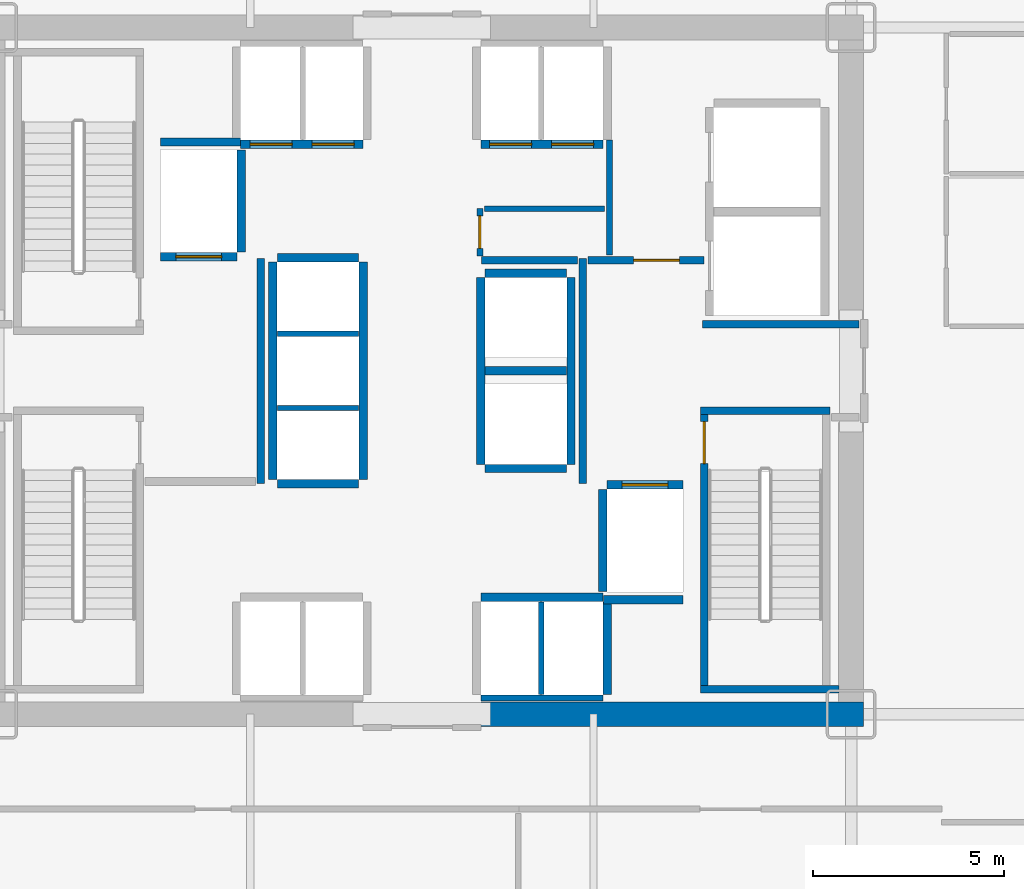
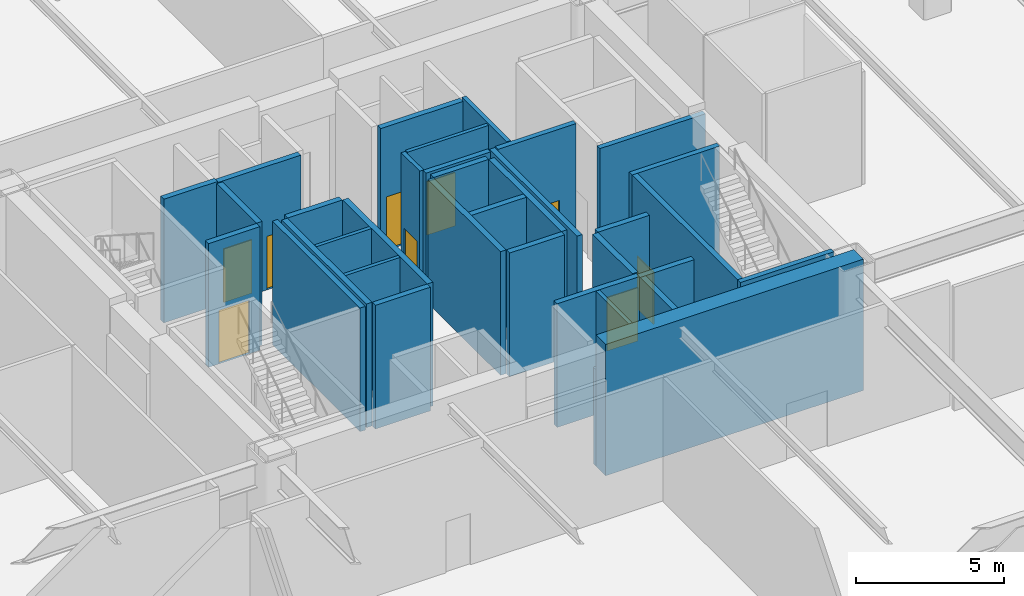
# One storey, part 18 of 24: 35 walls, 9 doors, 9 openings.
"""IFC4 building model written with IfcOpenShell, lengths in metres."""

from ifc_helpers import new_model, si_unit, direction, frame, frame_2d, origin, place, context, subcontext, project, spatial, rectangle, extrude, source, transform, mapped, material, layer, layer_set, type_object, element, fill, save


model = new_model("IFC4")

# Units and contexts
model_context = context("Model", 3, precision=1e-05, world=origin(), true_north=direction((0.0, 1.0)))
body_context = subcontext(model_context, "Body", "Model", "MODEL_VIEW")
ifc_project = project(units=[si_unit("LENGTHUNIT", "METRE"), si_unit("AREAUNIT", "SQUARE_METRE"), si_unit("VOLUMEUNIT", "CUBIC_METRE"), si_unit("PLANEANGLEUNIT", "RADIAN"), si_unit("MASSUNIT", "GRAM", prefix="KILO")], contexts=[model_context])

# Site, building, storey
site_placement = place(None, origin())
site = spatial("IfcSite", under=ifc_project, at=site_placement, CompositionType="ELEMENT")
building_placement = place(site_placement, origin())
building = spatial("IfcBuilding", under=site, at=building_placement, Name="Nefas-Gora Pilgrimage Tower", CompositionType="ELEMENT")
storey_placement = place(building_placement, frame((0.0, 0.0, 16.800048828125)))
storey = spatial("IfcBuildingStorey", under=building, at=storey_placement, Name="L03", CompositionType="ELEMENT", Elevation=16.800048828125)

# Walls
ifc_material_1 = material(Name="Concrete C60/75", Category="concrete")
ifc_layer_1 = layer(ifc_material_1, 0.64990234375)
ifc_layer_set_1 = layer_set([ifc_layer_1], Name="Concrete C60/75")
wall_type_1 = type_object("IfcWallType", Name="SW-CORE-650", PredefinedType="SHEAR", material=ifc_layer_set_1)
shared_shape_1 = source(origin(), body_context, "Body", "SweptSolid", [
    extrude(rectangle(XDim=10.02490234375, YDim=0.64990234375, at=frame_2d((5.012451171875, 0.0))), origin(), (0.0, 0.0, 1.0), 5.39990234375),
])
wall_1_placement = place(storey_placement, frame((1.550048828125, -9.0, 0.0), z_axis=(0.0, 0.0, 1.0), x_axis=(1.0, 0.0, 0.0)))
element("IfcWall", 1, at=wall_1_placement, inside=storey, type_object=wall_type_1, Name="L03 Core Shear Wall S-East", PredefinedType="SHEAR", context=body_context, shape_type="MappedRepresentation", body=[
    mapped(shared_shape_1, transform((0.0, 0.0, 0.0), x_axis=(1.0, 0.0, 0.0), y_axis=(0.0, 1.0, 0.0), z_axis=(0.0, 0.0, 1.0), scale=1.0)),
])
ifc_material_2 = material(Name="Concrete C45/55", Category="concrete")
ifc_layer_2 = layer(ifc_material_2, 0.199951171875)
ifc_layer_set_2 = layer_set([ifc_layer_2], Name="Concrete C45/55")
wall_type_2 = type_object("IfcWallType", Name="IW-STAIR-200", PredefinedType="SOLIDWALL", material=ifc_layer_set_2)
shared_shape_2 = source(origin(), body_context, "Body", "SweptSolid", [
    extrude(rectangle(XDim=3.39990234375, YDim=0.199951171875, at=frame_2d((1.699951171875, 0.0))), origin(), (0.0, 0.0, 1.0), 5.39990234375),
])
wall_2_placement = place(storey_placement, frame((7.300048828125, -1.050048828125, 0.0), z_axis=(0.0, 0.0, 1.0), x_axis=(1.0, 0.0, 0.0)))
element("IfcWall", 2, at=wall_2_placement, inside=storey, type_object=wall_type_2, Name="L03 Stairwell Shear Wall ST-02-near", PredefinedType="SOLIDWALL", context=body_context, shape_type="MappedRepresentation", body=[
    mapped(shared_shape_2, transform((0.0, 0.0, 0.0), x_axis=(1.0, 0.0, 0.0), y_axis=(0.0, 1.0, 0.0), z_axis=(0.0, 0.0, 1.0), scale=1.0)),
])
shared_shape_3 = source(origin(), body_context, "Body", "SweptSolid", [
    extrude(rectangle(XDim=3.6298828125, YDim=0.199951171875, at=frame_2d((1.81494140625, 0.0))), origin(), (0.0, 0.0, 1.0), 5.39990234375),
])
wall_3_placement = place(storey_placement, frame((7.300048828125, -8.35009765625, 0.0), z_axis=(0.0, 0.0, 1.0), x_axis=(1.0, 0.0, 0.0)))
element("IfcWall", 3, at=wall_3_placement, inside=storey, type_object=wall_type_2, Name="L03 Stairwell Shear Wall ST-02-far", PredefinedType="SOLIDWALL", context=body_context, shape_type="MappedRepresentation", body=[
    mapped(shared_shape_3, transform((0.0, 0.0, 0.0), x_axis=(1.0, 0.0, 0.0), y_axis=(0.0, 1.0, 0.0), z_axis=(0.0, 0.0, 1.0), scale=1.0)),
])

# Wall, opening, door
shared_shape_4 = source(origin(), body_context, "Body", "SweptSolid", [
    extrude(rectangle(XDim=7.10009765625, YDim=0.199951171875, at=frame_2d((3.550048828125, 0.0))), origin(), (0.0, 0.0, 1.0), 5.39990234375),
])
wall_4_placement = place(storey_placement, frame((7.39990234375, -1.14990234375, 0.0), z_axis=(0.0, 0.0, 1.0), x_axis=(0.0, -1.0, 0.0)))
wall_4 = element("IfcWall", 4, at=wall_4_placement, inside=storey, type_object=wall_type_2, Name="L03 Stairwell Shear Wall ST-02-left", PredefinedType="SOLIDWALL", context=body_context, shape_type="MappedRepresentation", body=[
    mapped(shared_shape_4, transform((0.0, 0.0, 0.0), x_axis=(1.0, 0.0, 0.0), y_axis=(0.0, 1.0, 0.0), z_axis=(0.0, 0.0, 1.0), scale=1.0)),
])
opening_1_placement = place(wall_4_placement, frame((0.179931640625, 0.0, 0.0)))
opening_1 = element("IfcOpeningElement", 5, at=opening_1_placement, cuts=wall_4, Name="Opening ID-ST1", PredefinedType="OPENING", context=body_context, shape_type="SweptSolid", body=[
    extrude(rectangle(XDim=1.10009765625, YDim=2.14990234375, at=frame_2d((0.550048828125, 1.074951171875))), frame((0.0, 0.10986328125, 0.0), z_axis=(0.0, -1.0, 0.0), x_axis=(1.0, 0.0, 0.0)), (0.0, 0.0, 1.0), 0.219970703125),
])
ifc_material_3 = material(Name="Painted galvanised steel fire stair door", Category="steel")
door_type_1 = type_object("IfcDoorType", Name="DR-INT-STAIR-1100", OperationType="NOTDEFINED", PredefinedType="DOOR", material=ifc_material_3)
shared_shape_5 = source(origin(), body_context, "Body", "SweptSolid", [
    extrude(rectangle(XDim=1.10009765625, YDim=2.14990234375, at=frame_2d((0.550048828125, 1.074951171875))), frame((0.0, 0.02490234375, 0.0), z_axis=(0.0, -1.0, 0.0), x_axis=(1.0, 0.0, 0.0)), (0.0, 0.0, 1.0), 0.050048828125),
])
door_1_placement = place(opening_1_placement, origin())
door_1 = element("IfcDoor", 6, at=door_1_placement, inside=storey, type_object=door_type_1, Name="L03 Protected Exit Stair Door ST-02", OperationType="SINGLE_SWING_RIGHT", OverallHeight=2.14990234375, OverallWidth=1.10009765625, PredefinedType="DOOR", context=body_context, shape_type="MappedRepresentation", body=[
    mapped(shared_shape_5, transform((0.0, 0.0, 0.0), x_axis=(1.0, 0.0, 0.0), y_axis=(0.0, 1.0, 0.0), z_axis=(0.0, 0.0, 1.0), scale=1.0)),
])
fill(opening_1, door_1)

ifc_material_4 = material(Name="Concrete C40/50", Category="concrete")
ifc_layer_3 = layer(ifc_material_4, 0.219970703125)
ifc_layer_set_3 = layer_set([ifc_layer_3], Name="Concrete C40/50")
wall_type_3 = type_object("IfcWallType", Name="IW-SHAFT-220", PredefinedType="SOLIDWALL", material=ifc_layer_set_3)
shared_shape_6 = source(origin(), body_context, "Body", "SweptSolid", [
    extrude(rectangle(XDim=2.0, YDim=0.219970703125, at=frame_2d((1.0, 0.0))), origin(), (0.0, 0.0, 1.0), 5.0849609375),
])
wall_5_placement = place(storey_placement, frame((-6.85009765625, 2.989990234375, 0.0), z_axis=(0.0, 0.0, 1.0), x_axis=(1.0, 0.0, 0.0)))
wall_5 = element("IfcWall", 7, at=wall_5_placement, inside=storey, type_object=wall_type_3, Name="L03 Hoistway Wall FFL-01-S", PredefinedType="SOLIDWALL", context=body_context, shape_type="MappedRepresentation", body=[
    mapped(shared_shape_6, transform((0.0, 0.0, 0.0), x_axis=(1.0, 0.0, 0.0), y_axis=(0.0, 1.0, 0.0), z_axis=(0.0, 0.0, 1.0), scale=1.0)),
])
opening_2_placement = place(wall_5_placement, frame((0.39990234375, 0.0, 0.0)))
opening_2 = element("IfcOpeningElement", 8, at=opening_2_placement, cuts=wall_5, Name="Opening LD-FF", PredefinedType="OPENING", context=body_context, shape_type="SweptSolid", body=[
    extrude(rectangle(XDim=1.199951171875, YDim=2.199951171875, at=frame_2d((0.60009765625, 1.10009765625))), frame((0.0, 0.119873046875, 0.0), z_axis=(0.0, -1.0, 0.0), x_axis=(1.0, 0.0, 0.0)), (0.0, 0.0, 1.0), 0.239990234375),
])
ifc_material_5 = material(Name="Fire-service sliding lift landing door")
door_type_2 = type_object("IfcDoorType", Name="DR-LIFT-FSAE-1200", OperationType="SLIDING_TO_LEFT", PredefinedType="DOOR", material=ifc_material_5)
shared_shape_7 = source(origin(), body_context, "Body", "SweptSolid", [
    extrude(rectangle(XDim=1.199951171875, YDim=2.199951171875, at=frame_2d((0.60009765625, 1.10009765625))), frame((0.0, 0.02490234375, 0.0), z_axis=(0.0, -1.0, 0.0), x_axis=(1.0, 0.0, 0.0)), (0.0, 0.0, 1.0), 0.050048828125),
])
door_2_placement = place(opening_2_placement, origin())
door_2 = element("IfcDoor", 9, at=door_2_placement, inside=storey, type_object=door_type_2, Name="L03 Sliding Lift Landing Door FFL-01", OperationType="SLIDING_TO_LEFT", OverallHeight=2.199951171875, OverallWidth=1.199951171875, PredefinedType="DOOR", context=body_context, shape_type="MappedRepresentation", body=[
    mapped(shared_shape_7, transform((0.0, 0.0, 0.0), x_axis=(1.0, 0.0, 0.0), y_axis=(0.0, 1.0, 0.0), z_axis=(0.0, 0.0, 1.0), scale=1.0)),
])
fill(opening_2, door_2)

wall_6_placement = place(storey_placement, frame((6.85009765625, -2.989990234375, 0.0), z_axis=(0.0, 0.0, 1.0), x_axis=(-1.0, 0.0, 0.0)))
wall_6 = element("IfcWall", 10, at=wall_6_placement, inside=storey, type_object=wall_type_3, Name="L03 Hoistway Wall FFL-02-N", PredefinedType="SOLIDWALL", context=body_context, shape_type="MappedRepresentation", body=[
    mapped(shared_shape_6, transform((0.0, 0.0, 0.0), x_axis=(1.0, 0.0, 0.0), y_axis=(0.0, 1.0, 0.0), z_axis=(0.0, 0.0, 1.0), scale=1.0)),
])
opening_3_placement = place(wall_6_placement, frame((0.39990234375, 0.0, 0.0)))
opening_3 = element("IfcOpeningElement", 11, at=opening_3_placement, cuts=wall_6, Name="Opening LD-FF", PredefinedType="OPENING", context=body_context, shape_type="SweptSolid", body=[
    extrude(rectangle(XDim=1.199951171875, YDim=2.199951171875, at=frame_2d((0.60009765625, 1.10009765625))), frame((0.0, 0.119873046875, 0.0), z_axis=(0.0, -1.0, 0.0), x_axis=(1.0, 0.0, 0.0)), (0.0, 0.0, 1.0), 0.239990234375),
])
door_3_placement = place(opening_3_placement, origin())
door_3 = element("IfcDoor", 12, at=door_3_placement, inside=storey, type_object=door_type_2, Name="L03 Sliding Lift Landing Door FFL-02", OperationType="SLIDING_TO_LEFT", OverallHeight=2.199951171875, OverallWidth=1.199951171875, PredefinedType="DOOR", context=body_context, shape_type="MappedRepresentation", body=[
    mapped(shared_shape_7, transform((0.0, 0.0, 0.0), x_axis=(1.0, 0.0, 0.0), y_axis=(0.0, 1.0, 0.0), z_axis=(0.0, 0.0, 1.0), scale=1.0)),
])
fill(opening_3, door_3)

# Walls
shared_shape_8 = source(origin(), body_context, "Body", "SweptSolid", [
    extrude(rectangle(XDim=2.679931640625, YDim=0.219970703125, at=frame_2d((1.33984375, 0.0))), origin(), (0.0, 0.0, 1.0), 5.0849609375),
])
for number, where, z_axis, x_axis, name in (
    (13, (-4.739990234375, 3.110107421875, 0.0), (0.0, 0.0, 1.0), (0.0, 1.0, 0.0), "L03 Hoistway Wall FFL-01-E"),
    (14, (4.739990234375, -3.110107421875, 0.0), (0.0, 0.0, 1.0), (0.0, -1.0, 0.0), "L03 Hoistway Wall FFL-02-W"),
):
    element("IfcWall", number, at=place(storey_placement, frame(where, z_axis=z_axis, x_axis=x_axis)), inside=storey, type_object=wall_type_3, Name=name, PredefinedType="SOLIDWALL", context=body_context, shape_type="MappedRepresentation", body=[
        mapped(shared_shape_8, transform((0.0, 0.0, 0.0), x_axis=(1.0, 0.0, 0.0), y_axis=(0.0, 1.0, 0.0), z_axis=(0.0, 0.0, 1.0), scale=1.0)),
    ])

# Wall, openings, doors
shared_shape_9 = source(origin(), body_context, "Body", "SweptSolid", [
    extrude(rectangle(XDim=3.199951171875, YDim=0.219970703125, at=frame_2d((1.60009765625, 0.0))), origin(), (0.0, 0.0, 1.0), 5.0849609375),
])
wall_7_placement = place(storey_placement, frame((-4.75, 5.93994140625, 0.0), z_axis=(0.0, 0.0, 1.0), x_axis=(1.0, 0.0, 0.0)))
wall_7 = element("IfcWall", 15, at=wall_7_placement, inside=storey, type_object=wall_type_3, Name="L03 Hoistway Wall PL1-W-S", PredefinedType="SOLIDWALL", context=body_context, shape_type="MappedRepresentation", body=[
    mapped(shared_shape_9, transform((0.0, 0.0, 0.0), x_axis=(1.0, 0.0, 0.0), y_axis=(0.0, 1.0, 0.0), z_axis=(0.0, 0.0, 1.0), scale=1.0)),
])
opening_4_placement = place(wall_7_placement, frame((0.25, 0.0, 0.0)))
opening_4 = element("IfcOpeningElement", 16, at=opening_4_placement, cuts=wall_7, Name="Opening LD-01", PredefinedType="OPENING", context=body_context, shape_type="SweptSolid", body=[
    extrude(rectangle(XDim=1.10009765625, YDim=2.199951171875, at=frame_2d((0.550048828125, 1.10009765625))), frame((0.0, 0.119873046875, 0.0), z_axis=(0.0, -1.0, 0.0), x_axis=(1.0, 0.0, 0.0)), (0.0, 0.0, 1.0), 0.239990234375),
])
opening_5_placement = place(wall_7_placement, frame((1.875, 0.0, 0.0)))
opening_5 = element("IfcOpeningElement", 17, at=opening_5_placement, cuts=wall_7, Name="Opening LD-01", PredefinedType="OPENING", context=body_context, shape_type="SweptSolid", body=[
    extrude(rectangle(XDim=1.10009765625, YDim=2.199951171875, at=frame_2d((0.550048828125, 1.10009765625))), frame((0.0, 0.119873046875, 0.0), z_axis=(0.0, -1.0, 0.0), x_axis=(1.0, 0.0, 0.0)), (0.0, 0.0, 1.0), 0.239990234375),
])
ifc_material_6 = material(Name="Brushed stainless sliding lift landing door")
door_type_3 = type_object("IfcDoorType", Name="DR-LIFT-PASS-1100", OperationType="DOUBLE_DOOR_SLIDING", PredefinedType="DOOR", material=ifc_material_6)
shared_shape_10 = source(origin(), body_context, "Body", "SweptSolid", [
    extrude(rectangle(XDim=1.10009765625, YDim=2.199951171875, at=frame_2d((0.550048828125, 1.10009765625))), frame((0.0, 0.02490234375, 0.0), z_axis=(0.0, -1.0, 0.0), x_axis=(1.0, 0.0, 0.0)), (0.0, 0.0, 1.0), 0.050048828125),
])
door_4_placement = place(opening_4_placement, origin())
door_4 = element("IfcDoor", 18, at=door_4_placement, inside=storey, type_object=door_type_3, Name="L03 Sliding Lift Landing Door PL1-01", OperationType="DOUBLE_DOOR_SLIDING", OverallHeight=2.199951171875, OverallWidth=1.10009765625, PredefinedType="DOOR", context=body_context, shape_type="MappedRepresentation", body=[
    mapped(shared_shape_10, transform((0.0, 0.0, 0.0), x_axis=(1.0, 0.0, 0.0), y_axis=(0.0, 1.0, 0.0), z_axis=(0.0, 0.0, 1.0), scale=1.0)),
])
fill(opening_4, door_4)
door_5_placement = place(opening_5_placement, origin())
door_5 = element("IfcDoor", 19, at=door_5_placement, inside=storey, type_object=door_type_3, Name="L03 Sliding Lift Landing Door PL1-02", OperationType="DOUBLE_DOOR_SLIDING", OverallHeight=2.199951171875, OverallWidth=1.10009765625, PredefinedType="DOOR", context=body_context, shape_type="MappedRepresentation", body=[
    mapped(shared_shape_10, transform((0.0, 0.0, 0.0), x_axis=(1.0, 0.0, 0.0), y_axis=(0.0, 1.0, 0.0), z_axis=(0.0, 0.0, 1.0), scale=1.0)),
])
fill(opening_5, door_5)

wall_8_placement = place(storey_placement, frame((1.550048828125, 5.93994140625, 0.0), z_axis=(0.0, 0.0, 1.0), x_axis=(1.0, 0.0, 0.0)))
wall_8 = element("IfcWall", 20, at=wall_8_placement, inside=storey, type_object=wall_type_3, Name="L03 Hoistway Wall PL1-E-S", PredefinedType="SOLIDWALL", context=body_context, shape_type="MappedRepresentation", body=[
    mapped(shared_shape_9, transform((0.0, 0.0, 0.0), x_axis=(1.0, 0.0, 0.0), y_axis=(0.0, 1.0, 0.0), z_axis=(0.0, 0.0, 1.0), scale=1.0)),
])
opening_6_placement = place(wall_8_placement, frame((0.22509765625, 0.0, 0.0)))
opening_6 = element("IfcOpeningElement", 21, at=opening_6_placement, cuts=wall_8, Name="Opening LD-01", PredefinedType="OPENING", context=body_context, shape_type="SweptSolid", body=[
    extrude(rectangle(XDim=1.10009765625, YDim=2.199951171875, at=frame_2d((0.550048828125, 1.10009765625))), frame((0.0, 0.119873046875, 0.0), z_axis=(0.0, -1.0, 0.0), x_axis=(1.0, 0.0, 0.0)), (0.0, 0.0, 1.0), 0.239990234375),
])
opening_7_placement = place(wall_8_placement, frame((1.85009765625, 0.0, 0.0)))
opening_7 = element("IfcOpeningElement", 22, at=opening_7_placement, cuts=wall_8, Name="Opening LD-01", PredefinedType="OPENING", context=body_context, shape_type="SweptSolid", body=[
    extrude(rectangle(XDim=1.10009765625, YDim=2.199951171875, at=frame_2d((0.550048828125, 1.10009765625))), frame((0.0, 0.119873046875, 0.0), z_axis=(0.0, -1.0, 0.0), x_axis=(1.0, 0.0, 0.0)), (0.0, 0.0, 1.0), 0.239990234375),
])
door_6_placement = place(opening_6_placement, origin())
door_6 = element("IfcDoor", 23, at=door_6_placement, inside=storey, type_object=door_type_3, Name="L03 Sliding Lift Landing Door PL1-03", OperationType="DOUBLE_DOOR_SLIDING", OverallHeight=2.199951171875, OverallWidth=1.10009765625, PredefinedType="DOOR", context=body_context, shape_type="MappedRepresentation", body=[
    mapped(shared_shape_10, transform((0.0, 0.0, 0.0), x_axis=(1.0, 0.0, 0.0), y_axis=(0.0, 1.0, 0.0), z_axis=(0.0, 0.0, 1.0), scale=1.0)),
])
fill(opening_6, door_6)
door_7_placement = place(opening_7_placement, origin())
door_7 = element("IfcDoor", 24, at=door_7_placement, inside=storey, type_object=door_type_3, Name="L03 Sliding Lift Landing Door PL1-04", OperationType="DOUBLE_DOOR_SLIDING", OverallHeight=2.199951171875, OverallWidth=1.10009765625, PredefinedType="DOOR", context=body_context, shape_type="MappedRepresentation", body=[
    mapped(shared_shape_10, transform((0.0, 0.0, 0.0), x_axis=(1.0, 0.0, 0.0), y_axis=(0.0, 1.0, 0.0), z_axis=(0.0, 0.0, 1.0), scale=1.0)),
])
fill(opening_7, door_7)

# Walls
wall_9_placement = place(storey_placement, frame((4.75, -5.93994140625, 0.0), z_axis=(0.0, 0.0, 1.0), x_axis=(-1.0, 0.0, 0.0)))
element("IfcWall", 25, at=wall_9_placement, inside=storey, type_object=wall_type_3, Name="L03 Hoistway Wall PL2-E-N", PredefinedType="SOLIDWALL", context=body_context, shape_type="MappedRepresentation", body=[
    mapped(shared_shape_9, transform((0.0, 0.0, 0.0), x_axis=(1.0, 0.0, 0.0), y_axis=(0.0, 1.0, 0.0), z_axis=(0.0, 0.0, 1.0), scale=1.0)),
])
shared_shape_11 = source(origin(), body_context, "Body", "SweptSolid", [
    extrude(rectangle(XDim=2.429931640625, YDim=0.219970703125, at=frame_2d((1.21484375, 0.0))), origin(), (0.0, 0.0, 1.0), 5.0849609375),
])
wall_10_placement = place(storey_placement, frame((4.860107421875, -8.489990234375, 0.0), z_axis=(0.0, 0.0, 1.0), x_axis=(0.0, 1.0, 0.0)))
element("IfcWall", 26, at=wall_10_placement, inside=storey, type_object=wall_type_3, Name="L03 Hoistway Wall PL2-E-E", PredefinedType="SOLIDWALL", context=body_context, shape_type="MappedRepresentation", body=[
    mapped(shared_shape_11, transform((0.0, 0.0, 0.0), x_axis=(1.0, 0.0, 0.0), y_axis=(0.0, 1.0, 0.0), z_axis=(0.0, 0.0, 1.0), scale=1.0)),
])
ifc_material_7 = material(Name="Gypsum twin-stud partition")
ifc_layer_4 = layer(ifc_material_7, 0.139892578125)
ifc_layer_set_4 = layer_set([ifc_layer_4], Name="Gypsum twin-stud partition")
wall_type_4 = type_object("IfcWallType", Name="IW-UNIT-140", PredefinedType="PARTITIONING", material=ifc_layer_set_4)
shared_shape_12 = source(origin(), body_context, "Body", "SweptSolid", [
    extrude(rectangle(XDim=2.429931640625, YDim=0.139892578125, at=frame_2d((1.21484375, 0.0))), origin(), (0.0, 0.0, 1.0), 5.0849609375),
])
wall_11_placement = place(storey_placement, frame((3.125, -8.489990234375, 0.0), z_axis=(0.0, 0.0, 1.0), x_axis=(0.0, 1.0, 0.0)))
element("IfcWall", 27, at=wall_11_placement, inside=storey, type_object=wall_type_4, Name="L03 Hoistway Wall PL2-E-DIV", PredefinedType="PARTITIONING", context=body_context, shape_type="MappedRepresentation", body=[
    mapped(shared_shape_12, transform((0.0, 0.0, 0.0), x_axis=(1.0, 0.0, 0.0), y_axis=(0.0, 1.0, 0.0), z_axis=(0.0, 0.0, 1.0), scale=1.0)),
])
shared_shape_13 = source(origin(), body_context, "Body", "SweptSolid", [
    extrude(rectangle(XDim=5.7001953125, YDim=0.219970703125, at=frame_2d((2.85009765625, 0.0))), origin(), (0.0, 0.0, 1.0), 5.0849609375),
])
for number, where, z_axis, x_axis, name in (
    (28, (-1.5400390625, -2.85009765625, 0.0), (0.0, 0.0, 1.0), (0.0, 1.0, 0.0), "L03 Hoistway Wall PL3-01-03-E"),
    (29, (-3.909912109375, 2.85009765625, 0.0), (0.0, 0.0, 1.0), (0.0, -1.0, 0.0), "L03 Hoistway Wall PL3-01-03-W"),
):
    element("IfcWall", number, at=place(storey_placement, frame(where, z_axis=z_axis, x_axis=x_axis)), inside=storey, type_object=wall_type_3, Name=name, PredefinedType="SOLIDWALL", context=body_context, shape_type="MappedRepresentation", body=[
        mapped(shared_shape_13, transform((0.0, 0.0, 0.0), x_axis=(1.0, 0.0, 0.0), y_axis=(0.0, 1.0, 0.0), z_axis=(0.0, 0.0, 1.0), scale=1.0)),
    ])
shared_shape_14 = source(origin(), body_context, "Body", "SweptSolid", [
    extrude(rectangle(XDim=2.130126953125, YDim=0.219970703125, at=frame_2d((1.06494140625, 0.0))), origin(), (0.0, 0.0, 1.0), 5.0849609375),
])
for number, where, z_axis, x_axis, name in (
    (30, (-3.7900390625, -2.9599609375, 0.0), (0.0, 0.0, 1.0), (1.0, 0.0, 0.0), "L03 Hoistway Wall PL3-01-S"),
    (31, (-1.659912109375, 2.9599609375, 0.0), (0.0, 0.0, 1.0), (-1.0, 0.0, 0.0), "L03 Hoistway Wall PL3-03-N"),
    (32, (1.659912109375, -2.56005859375, 0.0), (0.0, 0.0, 1.0), (1.0, 0.0, 0.0), "L03 Hoistway Wall OBS-01-S"),
    (33, (1.659912109375, 0.0, 0.0), (0.0, 0.0, 1.0), (1.0, 0.0, 0.0), "L03 Hoistway Wall OBS-01-02-DIV"),
    (34, (3.7900390625, 2.56005859375, 0.0), (0.0, 0.0, 1.0), (-1.0, 0.0, 0.0), "L03 Hoistway Wall OBS-02-N"),
):
    element("IfcWall", number, at=place(storey_placement, frame(where, z_axis=z_axis, x_axis=x_axis)), inside=storey, type_object=wall_type_3, Name=name, PredefinedType="SOLIDWALL", context=body_context, shape_type="MappedRepresentation", body=[
        mapped(shared_shape_14, transform((0.0, 0.0, 0.0), x_axis=(1.0, 0.0, 0.0), y_axis=(0.0, 1.0, 0.0), z_axis=(0.0, 0.0, 1.0), scale=1.0)),
    ])
shared_shape_15 = source(origin(), body_context, "Body", "SweptSolid", [
    extrude(rectangle(XDim=2.130126953125, YDim=0.139892578125, at=frame_2d((1.06494140625, 0.0))), origin(), (0.0, 0.0, 1.0), 5.0849609375),
])
for number, where, z_axis, x_axis, name in (
    (35, (-3.7900390625, -0.97509765625, 0.0), (0.0, 0.0, 1.0), (1.0, 0.0, 0.0), "L03 Hoistway Wall PL3-01-02-DIV"),
    (36, (-3.7900390625, 0.97509765625, 0.0), (0.0, 0.0, 1.0), (1.0, 0.0, 0.0), "L03 Hoistway Wall PL3-02-03-DIV"),
):
    element("IfcWall", number, at=place(storey_placement, frame(where, z_axis=z_axis, x_axis=x_axis)), inside=storey, type_object=wall_type_4, Name=name, PredefinedType="PARTITIONING", context=body_context, shape_type="MappedRepresentation", body=[
        mapped(shared_shape_15, transform((0.0, 0.0, 0.0), x_axis=(1.0, 0.0, 0.0), y_axis=(0.0, 1.0, 0.0), z_axis=(0.0, 0.0, 1.0), scale=1.0)),
    ])
shared_shape_16 = source(origin(), body_context, "Body", "SweptSolid", [
    extrude(rectangle(XDim=4.89990234375, YDim=0.219970703125, at=frame_2d((2.449951171875, 0.0))), origin(), (0.0, 0.0, 1.0), 5.0849609375),
])
for number, where, z_axis, x_axis, name in (
    (37, (1.5400390625, 2.449951171875, 0.0), (0.0, 0.0, 1.0), (0.0, -1.0, 0.0), "L03 Hoistway Wall OBS-01-02-W"),
    (38, (3.909912109375, -2.449951171875, 0.0), (0.0, 0.0, 1.0), (0.0, 1.0, 0.0), "L03 Hoistway Wall OBS-01-02-E"),
):
    element("IfcWall", number, at=place(storey_placement, frame(where, z_axis=z_axis, x_axis=x_axis)), inside=storey, type_object=wall_type_3, Name=name, PredefinedType="SOLIDWALL", context=body_context, shape_type="MappedRepresentation", body=[
        mapped(shared_shape_16, transform((0.0, 0.0, 0.0), x_axis=(1.0, 0.0, 0.0), y_axis=(0.0, 1.0, 0.0), z_axis=(0.0, 0.0, 1.0), scale=1.0)),
    ])
ifc_material_8 = material(Name="Gypsum acoustic stud partition")
ifc_layer_5 = layer(ifc_material_8, 0.159912109375)
ifc_layer_set_5 = layer_set([ifc_layer_5], Name="Gypsum acoustic stud partition")
wall_type_5 = type_object("IfcWallType", Name="IW-CORR-160", PredefinedType="PARTITIONING", material=ifc_layer_set_5)
shared_shape_17 = source(origin(), body_context, "Body", "SweptSolid", [
    extrude(rectangle(XDim=3.199951171875, YDim=0.159912109375, at=frame_2d((1.60009765625, 0.0))), origin(), (0.0, 0.0, 1.0), 3.974853515625),
])
wall_12_placement = place(storey_placement, frame((1.550048828125, -8.580078125, 0.0), z_axis=(0.0, 0.0, 1.0), x_axis=(1.0, 0.0, 0.0)))
element("IfcWall", 39, at=wall_12_placement, inside=storey, type_object=wall_type_5, Name="L03 Hoistway Wall PL2-E-S", PredefinedType="PARTITIONING", context=body_context, shape_type="MappedRepresentation", body=[
    mapped(shared_shape_17, transform((0.0, 0.0, 0.0), x_axis=(1.0, 0.0, 0.0), y_axis=(0.0, 1.0, 0.0), z_axis=(0.0, 0.0, 1.0), scale=1.0)),
])
shared_shape_18 = source(origin(), body_context, "Body", "SweptSolid", [
    extrude(rectangle(XDim=2.09521484375, YDim=0.219970703125, at=frame_2d((1.047607421875, 0.0))), origin(), (0.0, 0.0, 1.0), 5.0849609375),
])
for number, where, z_axis, x_axis, name in (
    (40, (-6.85009765625, 6.0, 0.0), (0.0, 0.0, 1.0), (1.0, 0.0, 0.0), "L03 Riser Shaft Wall 1"),
    (41, (4.7548828125, -6.0, 0.0), (0.0, 0.0, 1.0), (1.0, 0.0, 0.0), "L03 Riser Shaft Wall 2"),
):
    element("IfcWall", number, at=place(storey_placement, frame(where, z_axis=z_axis, x_axis=x_axis)), inside=storey, type_object=wall_type_3, Name=name, PredefinedType="SOLIDWALL", context=body_context, shape_type="MappedRepresentation", body=[
        mapped(shared_shape_18, transform((0.0, 0.0, 0.0), x_axis=(1.0, 0.0, 0.0), y_axis=(0.0, 1.0, 0.0), z_axis=(0.0, 0.0, 1.0), scale=1.0)),
    ])
ifc_material_9 = material(Name="Gypsum fire-rated shaftwall")
ifc_layer_6 = layer(ifc_material_9, 0.199951171875)
ifc_layer_set_6 = layer_set([ifc_layer_6], Name="Gypsum fire-rated shaftwall")
wall_type_6 = type_object("IfcWallType", Name="IW-FFLOB-200", PredefinedType="PARTITIONING", material=ifc_layer_set_6)
shared_shape_19 = source(origin(), body_context, "Body", "SweptSolid", [
    extrude(rectangle(XDim=5.89990234375, YDim=0.199951171875, at=frame_2d((2.949951171875, 0.0))), origin(), (0.0, 0.0, 1.0), 5.0849609375),
])
for number, where, z_axis, x_axis, name in (
    (42, (-4.219970703125, -2.949951171875, 0.0), (0.0, 0.0, 1.0), (0.0, 1.0, 0.0), "L03 FF Lobby West Inner Wall Wall 4"),
    (43, (4.219970703125, -2.949951171875, 0.0), (0.0, 0.0, 1.0), (0.0, 1.0, 0.0), "L03 FF Lobby East Inner Wall Wall 9"),
):
    element("IfcWall", number, at=place(storey_placement, frame(where, z_axis=z_axis, x_axis=x_axis)), inside=storey, type_object=wall_type_6, Name=name, PredefinedType="PARTITIONING", context=body_context, shape_type="MappedRepresentation", body=[
        mapped(shared_shape_19, transform((0.0, 0.0, 0.0), x_axis=(1.0, 0.0, 0.0), y_axis=(0.0, 1.0, 0.0), z_axis=(0.0, 0.0, 1.0), scale=1.0)),
    ])
shared_shape_20 = source(origin(), body_context, "Body", "SweptSolid", [
    extrude(rectangle(XDim=2.52001953125, YDim=0.199951171875, at=frame_2d((1.260009765625, 0.0))), origin(), (0.0, 0.0, 1.0), 5.0849609375),
])
wall_13_placement = place(storey_placement, frame((1.56005859375, 2.89990234375, 0.0), z_axis=(0.0, 0.0, 1.0), x_axis=(1.0, 0.0, 0.0)))
element("IfcWall", 44, at=wall_13_placement, inside=storey, type_object=wall_type_6, Name="L03 FF Lobby East North Wall Wall 10", PredefinedType="PARTITIONING", context=body_context, shape_type="MappedRepresentation", body=[
    mapped(shared_shape_20, transform((0.0, 0.0, 0.0), x_axis=(1.0, 0.0, 0.0), y_axis=(0.0, 1.0, 0.0), z_axis=(0.0, 0.0, 1.0), scale=1.0)),
])

# Wall, opening, door
shared_shape_21 = source(origin(), body_context, "Body", "SweptSolid", [
    extrude(rectangle(XDim=3.039794921875, YDim=0.199951171875, at=frame_2d((1.52001953125, 0.0))), origin(), (0.0, 0.0, 1.0), 5.0849609375),
])
wall_14_placement = place(storey_placement, frame((4.360107421875, 2.89990234375, 0.0), z_axis=(0.0, 0.0, 1.0), x_axis=(1.0, 0.0, 0.0)))
wall_14 = element("IfcWall", 45, at=wall_14_placement, inside=storey, type_object=wall_type_6, Name="L03 FF Lobby East North Wall Wall 11", PredefinedType="PARTITIONING", context=body_context, shape_type="MappedRepresentation", body=[
    mapped(shared_shape_21, transform((0.0, 0.0, 0.0), x_axis=(1.0, 0.0, 0.0), y_axis=(0.0, 1.0, 0.0), z_axis=(0.0, 0.0, 1.0), scale=1.0)),
])
opening_8_placement = place(wall_14_placement, frame((1.18994140625, 0.0, 0.0)))
opening_8 = element("IfcOpeningElement", 46, at=opening_8_placement, cuts=wall_14, Name="Opening ID-PL1", PredefinedType="OPENING", context=body_context, shape_type="SweptSolid", body=[
    extrude(rectangle(XDim=1.199951171875, YDim=2.14990234375, at=frame_2d((0.60009765625, 1.074951171875))), frame((0.0, 0.10986328125, 0.0), z_axis=(0.0, -1.0, 0.0), x_axis=(1.0, 0.0, 0.0)), (0.0, 0.0, 1.0), 0.219970703125),
])
ifc_material_10 = material(Name="Heavy-duty steel plant room fire door", Category="steel")
door_type_4 = type_object("IfcDoorType", Name="DR-INT-PLANT-1200", OperationType="NOTDEFINED", PredefinedType="DOOR", material=ifc_material_10)
shared_shape_22 = source(origin(), body_context, "Body", "SweptSolid", [
    extrude(rectangle(XDim=1.199951171875, YDim=2.14990234375, at=frame_2d((0.60009765625, 1.074951171875))), frame((0.0, 0.02490234375, 0.0), z_axis=(0.0, -1.0, 0.0), x_axis=(1.0, 0.0, 0.0)), (0.0, 0.0, 1.0), 0.050048828125),
])
door_8_placement = place(opening_8_placement, origin())
door_8 = element("IfcDoor", 47, at=door_8_placement, inside=storey, type_object=door_type_4, Name="L03 Service Lift Lobby Door Door 3", OperationType="SINGLE_SWING_LEFT", OverallHeight=2.14990234375, OverallWidth=1.199951171875, PredefinedType="DOOR", context=body_context, shape_type="MappedRepresentation", body=[
    mapped(shared_shape_22, transform((0.0, 0.0, 0.0), x_axis=(1.0, 0.0, 0.0), y_axis=(0.0, 1.0, 0.0), z_axis=(0.0, 0.0, 1.0), scale=1.0)),
])
fill(opening_8, door_8)

# Walls
shared_shape_23 = source(origin(), body_context, "Body", "SweptSolid", [
    extrude(rectangle(XDim=4.10986328125, YDim=0.199951171875, at=frame_2d((2.054931640625, 0.0))), origin(), (0.0, 0.0, 1.0), 5.0849609375),
])
wall_15_placement = place(storey_placement, frame((7.35009765625, 1.219970703125, 0.0), z_axis=(0.0, 0.0, 1.0), x_axis=(1.0, 0.0, 0.0)))
element("IfcWall", 48, at=wall_15_placement, inside=storey, type_object=wall_type_6, Name="L03 FF Lobby East Throat N Wall 12", PredefinedType="PARTITIONING", context=body_context, shape_type="MappedRepresentation", body=[
    mapped(shared_shape_23, transform((0.0, 0.0, 0.0), x_axis=(1.0, 0.0, 0.0), y_axis=(0.0, 1.0, 0.0), z_axis=(0.0, 0.0, 1.0), scale=1.0)),
])
shared_shape_24 = source(origin(), body_context, "Body", "SweptSolid", [
    extrude(rectangle(XDim=3.014892578125, YDim=0.159912109375, at=frame_2d((1.50732421875, 0.0))), origin(), (0.0, 0.0, 1.0), 5.0849609375),
])
wall_16_placement = place(storey_placement, frame((4.919921875, 3.0400390625, 0.0), z_axis=(0.0, 0.0, 1.0), x_axis=(0.0, 1.0, 0.0)))
element("IfcWall", 49, at=wall_16_placement, inside=storey, type_object=wall_type_5, Name="L03 Service Lift Lobby West Wall Wall 16", PredefinedType="PARTITIONING", context=body_context, shape_type="MappedRepresentation", body=[
    mapped(shared_shape_24, transform((0.0, 0.0, 0.0), x_axis=(1.0, 0.0, 0.0), y_axis=(0.0, 1.0, 0.0), z_axis=(0.0, 0.0, 1.0), scale=1.0)),
])

# Wall, opening, door
shared_shape_25 = source(origin(), body_context, "Body", "SweptSolid", [
    extrude(rectangle(XDim=1.25, YDim=0.159912109375, at=frame_2d((0.625, 0.0))), origin(), (0.0, 0.0, 1.0), 5.0849609375),
])
wall_17_placement = place(storey_placement, frame((1.52001953125, 3.010009765625, 0.0), z_axis=(0.0, 0.0, 1.0), x_axis=(0.0, 1.0, 0.0)))
wall_17 = element("IfcWall", 50, at=wall_17_placement, inside=storey, type_object=wall_type_5, Name="L03 Core Communications Room Wall 17", PredefinedType="PARTITIONING", context=body_context, shape_type="MappedRepresentation", body=[
    mapped(shared_shape_25, transform((0.0, 0.0, 0.0), x_axis=(1.0, 0.0, 0.0), y_axis=(0.0, 1.0, 0.0), z_axis=(0.0, 0.0, 1.0), scale=1.0)),
])
opening_9_placement = place(wall_17_placement, frame((0.199951171875, 0.0, 0.0)))
opening_9 = element("IfcOpeningElement", 51, at=opening_9_placement, cuts=wall_17, Name="Opening ID-BT1", PredefinedType="OPENING", context=body_context, shape_type="SweptSolid", body=[
    extrude(rectangle(XDim=0.85009765625, YDim=2.10009765625, at=frame_2d((0.425048828125, 1.050048828125))), frame((0.0, 0.08984375, 0.0), z_axis=(0.0, -1.0, 0.0), x_axis=(1.0, 0.0, 0.0)), (0.0, 0.0, 1.0), 0.179931640625),
])
ifc_material_11 = material(Name="Moisture-resistant fire-rated timber door", Category="wood")
door_type_5 = type_object("IfcDoorType", Name="DR-INT-BATH-850", OperationType="NOTDEFINED", PredefinedType="DOOR", material=ifc_material_11)
shared_shape_26 = source(origin(), body_context, "Body", "SweptSolid", [
    extrude(rectangle(XDim=0.85009765625, YDim=2.10009765625, at=frame_2d((0.425048828125, 1.050048828125))), frame((0.0, 0.02490234375, 0.0), z_axis=(0.0, -1.0, 0.0), x_axis=(1.0, 0.0, 0.0)), (0.0, 0.0, 1.0), 0.050048828125),
])
door_9_placement = place(opening_9_placement, origin())
door_9 = element("IfcDoor", 52, at=door_9_placement, inside=storey, type_object=door_type_5, Name="L03 Core Communications Room Door 6", OperationType="SINGLE_SWING_RIGHT", OverallHeight=2.10009765625, OverallWidth=0.85009765625, PredefinedType="DOOR", context=body_context, shape_type="MappedRepresentation", body=[
    mapped(shared_shape_26, transform((0.0, 0.0, 0.0), x_axis=(1.0, 0.0, 0.0), y_axis=(0.0, 1.0, 0.0), z_axis=(0.0, 0.0, 1.0), scale=1.0)),
])
fill(opening_9, door_9)

# Wall
shared_shape_27 = source(origin(), body_context, "Body", "SweptSolid", [
    extrude(rectangle(XDim=3.150146484375, YDim=0.139892578125, at=frame_2d((1.5751953125, 0.0))), origin(), (0.0, 0.0, 1.0), 5.0849609375),
])
wall_18_placement = place(storey_placement, frame((1.639892578125, 4.25, 0.0), z_axis=(0.0, 0.0, 1.0), x_axis=(1.0, 0.0, 0.0)))
element("IfcWall", 53, at=wall_18_placement, inside=storey, type_object=wall_type_4, Name="L03 Core Communications Room Partition Wall 18", PredefinedType="PARTITIONING", context=body_context, shape_type="MappedRepresentation", body=[
    mapped(shared_shape_27, transform((0.0, 0.0, 0.0), x_axis=(1.0, 0.0, 0.0), y_axis=(0.0, 1.0, 0.0), z_axis=(0.0, 0.0, 1.0), scale=1.0)),
])

save(model, "model.ifc")
